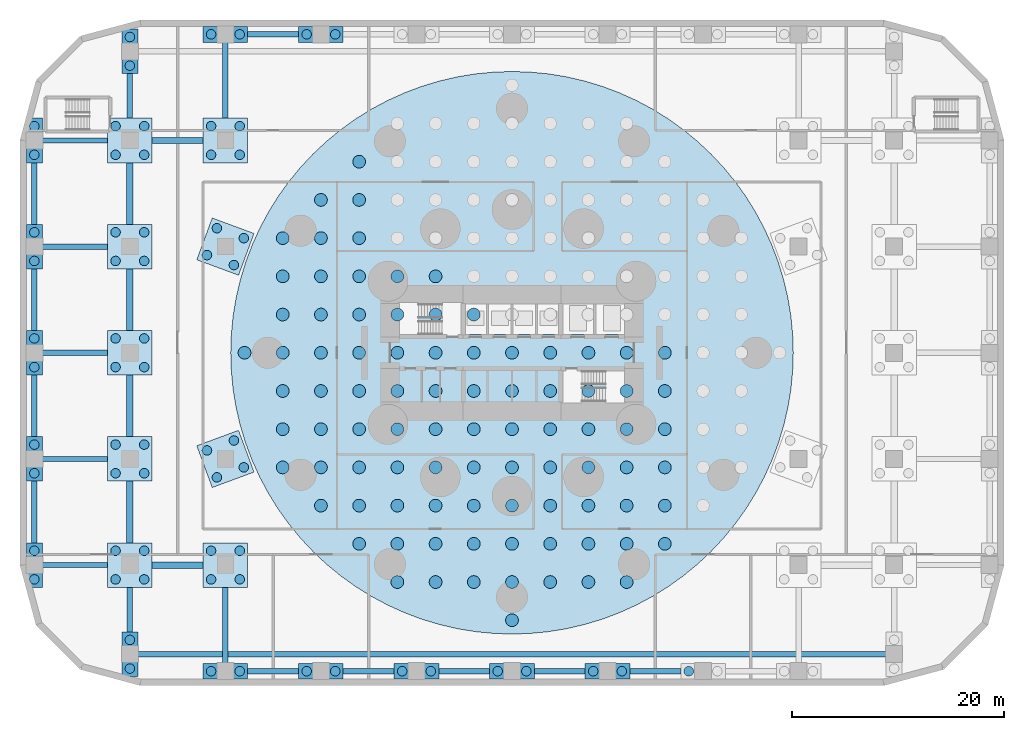
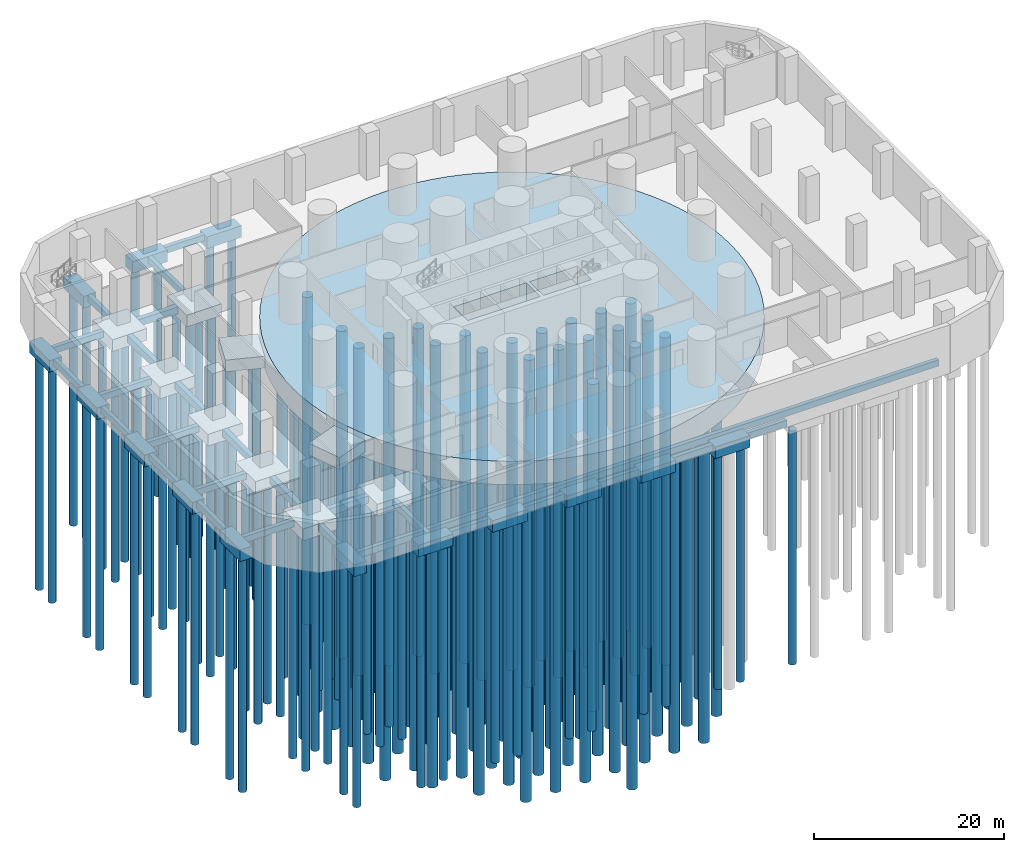
# One storey, part 1 of 10: 154 piles, 50 footings.
"""IFC4 building model written with IfcOpenShell, lengths in metres."""

from ifc_helpers import new_model, si_unit, direction, frame, origin, origin_2d, place, context, subcontext, project, spatial, polyline, rectangle, circle, outline, extrude, material, layer, layer_set, material_profile, profile_set, type_object, element, save


model = new_model("IFC4")

# Units and contexts
model_context = context("Model", 3, precision=1e-05, world=origin(), true_north=direction((0.0, 1.0)))
body_context = subcontext(model_context, "Body", "Model", "MODEL_VIEW")
ifc_project = project(units=[si_unit("LENGTHUNIT", "METRE"), si_unit("AREAUNIT", "SQUARE_METRE"), si_unit("VOLUMEUNIT", "CUBIC_METRE"), si_unit("PLANEANGLEUNIT", "RADIAN"), si_unit("MASSUNIT", "GRAM", prefix="KILO")], contexts=[model_context])

# Site, building, storey
site_placement = place(None, origin())
site = spatial("IfcSite", under=ifc_project, at=site_placement, CompositionType="ELEMENT")
building_placement = place(site_placement, origin())
building = spatial("IfcBuilding", under=site, at=building_placement, Name="Qaws Media Tower", CompositionType="ELEMENT")
storey_placement = place(building_placement, frame((0.0, 0.0, -6.0)))
storey = spatial("IfcBuildingStorey", under=building, at=storey_placement, Name="B1", CompositionType="ELEMENT", Elevation=-6.0)

# Piles
ifc_material_1 = material(Name="Concrete C40/50", Category="concrete")
ifc_material_profile_1 = material_profile(ifc_material_1, circle(Radius=0.60009765625, at=origin_2d()), Name="D1200")
ifc_profile_set_1 = profile_set([ifc_material_profile_1], Name="Concrete C40/50")
pile_type_1 = type_object("IfcPileType", Name="Bored pile D1200", PredefinedType="BORED", material=ifc_profile_set_1)
for number, where, z_axis, x_axis, name in (
    (1, (60.0, 24.800048828125, -3.0), (0.0, 0.0, -1.0), (1.0, 0.0, 0.0), "BP1 pile 1"),
    (2, (49.199951171875, 28.39990234375, -3.0), (0.0, 0.0, -1.0), (1.0, 0.0, 0.0), "BP1 pile 2"),
    (3, (52.800048828125, 28.39990234375, -3.0), (0.0, 0.0, -1.0), (1.0, 0.0, 0.0), "BP1 pile 3"),
    (4, (56.39990234375, 28.39990234375, -3.0), (0.0, 0.0, -1.0), (1.0, 0.0, 0.0), "BP1 pile 4"),
    (5, (60.0, 28.39990234375, -3.0), (0.0, 0.0, -1.0), (1.0, 0.0, 0.0), "BP1 pile 5"),
    (6, (63.60009765625, 28.39990234375, -3.0), (0.0, 0.0, -1.0), (1.0, 0.0, 0.0), "BP1 pile 6"),
    (7, (67.199951171875, 28.39990234375, -3.0), (0.0, 0.0, -1.0), (1.0, 0.0, 0.0), "BP1 pile 7"),
    (8, (70.800048828125, 28.39990234375, -3.0), (0.0, 0.0, -1.0), (1.0, 0.0, 0.0), "BP1 pile 8"),
    (9, (45.60009765625, 32.0, -3.0), (0.0, 0.0, -1.0), (1.0, 0.0, 0.0), "BP1 pile 9"),
    (10, (49.199951171875, 32.0, -3.0), (0.0, 0.0, -1.0), (1.0, 0.0, 0.0), "BP1 pile 10"),
    (11, (52.800048828125, 32.0, -3.0), (0.0, 0.0, -1.0), (1.0, 0.0, 0.0), "BP1 pile 11"),
    (12, (56.39990234375, 32.0, -3.0), (0.0, 0.0, -1.0), (1.0, 0.0, 0.0), "BP1 pile 12"),
    (13, (60.0, 32.0, -3.0), (0.0, 0.0, -1.0), (1.0, 0.0, 0.0), "BP1 pile 13"),
    (14, (63.60009765625, 32.0, -3.0), (0.0, 0.0, -1.0), (1.0, 0.0, 0.0), "BP1 pile 14"),
    (15, (67.199951171875, 32.0, -3.0), (0.0, 0.0, -1.0), (1.0, 0.0, 0.0), "BP1 pile 15"),
    (16, (70.800048828125, 32.0, -3.0), (0.0, 0.0, -1.0), (1.0, 0.0, 0.0), "BP1 pile 16"),
    (17, (74.39990234375, 32.0, -3.0), (0.0, 0.0, -1.0), (1.0, 0.0, 0.0), "BP1 pile 17"),
    (18, (42.0, 35.60009765625, -3.0), (0.0, 0.0, -1.0), (1.0, 0.0, 0.0), "BP1 pile 18"),
    (19, (45.60009765625, 35.60009765625, -3.0), (0.0, 0.0, -1.0), (1.0, 0.0, 0.0), "BP1 pile 19"),
    (20, (49.199951171875, 35.60009765625, -3.0), (0.0, 0.0, -1.0), (1.0, 0.0, 0.0), "BP1 pile 20"),
    (21, (52.800048828125, 35.60009765625, -3.0), (0.0, 0.0, -1.0), (1.0, 0.0, 0.0), "BP1 pile 21"),
    (22, (56.39990234375, 35.60009765625, -3.0), (0.0, 0.0, -1.0), (1.0, 0.0, 0.0), "BP1 pile 22"),
    (23, (60.0, 35.60009765625, -3.0), (0.0, 0.0, -1.0), (1.0, 0.0, 0.0), "BP1 pile 23"),
    (24, (63.60009765625, 35.60009765625, -3.0), (0.0, 0.0, -1.0), (1.0, 0.0, 0.0), "BP1 pile 24"),
    (25, (67.199951171875, 35.60009765625, -3.0), (0.0, 0.0, -1.0), (1.0, 0.0, 0.0), "BP1 pile 25"),
    (26, (70.800048828125, 35.60009765625, -3.0), (0.0, 0.0, -1.0), (1.0, 0.0, 0.0), "BP1 pile 26"),
    (27, (74.39990234375, 35.60009765625, -3.0), (0.0, 0.0, -1.0), (1.0, 0.0, 0.0), "BP1 pile 27"),
    (28, (38.39990234375, 39.199951171875, -3.0), (0.0, 0.0, -1.0), (1.0, 0.0, 0.0), "BP1 pile 29"),
    (29, (42.0, 39.199951171875, -3.0), (0.0, 0.0, -1.0), (1.0, 0.0, 0.0), "BP1 pile 30"),
    (30, (45.60009765625, 39.199951171875, -3.0), (0.0, 0.0, -1.0), (1.0, 0.0, 0.0), "BP1 pile 31"),
    (31, (49.199951171875, 39.199951171875, -3.0), (0.0, 0.0, -1.0), (1.0, 0.0, 0.0), "BP1 pile 32"),
    (32, (52.800048828125, 39.199951171875, -3.0), (0.0, 0.0, -1.0), (1.0, 0.0, 0.0), "BP1 pile 33"),
    (33, (56.39990234375, 39.199951171875, -3.0), (0.0, 0.0, -1.0), (1.0, 0.0, 0.0), "BP1 pile 34"),
    (34, (60.0, 39.199951171875, -3.0), (0.0, 0.0, -1.0), (1.0, 0.0, 0.0), "BP1 pile 35"),
    (35, (63.60009765625, 39.199951171875, -3.0), (0.0, 0.0, -1.0), (1.0, 0.0, 0.0), "BP1 pile 36"),
    (36, (67.199951171875, 39.199951171875, -3.0), (0.0, 0.0, -1.0), (1.0, 0.0, 0.0), "BP1 pile 37"),
    (37, (70.800048828125, 39.199951171875, -3.0), (0.0, 0.0, -1.0), (1.0, 0.0, 0.0), "BP1 pile 38"),
    (38, (74.39990234375, 39.199951171875, -3.0), (0.0, 0.0, -1.0), (1.0, 0.0, 0.0), "BP1 pile 39"),
    (39, (38.39990234375, 42.800048828125, -3.0), (0.0, 0.0, -1.0), (1.0, 0.0, 0.0), "BP1 pile 42"),
    (40, (42.0, 42.800048828125, -3.0), (0.0, 0.0, -1.0), (1.0, 0.0, 0.0), "BP1 pile 43"),
    (41, (45.60009765625, 42.800048828125, -3.0), (0.0, 0.0, -1.0), (1.0, 0.0, 0.0), "BP1 pile 44"),
    (42, (49.199951171875, 42.800048828125, -3.0), (0.0, 0.0, -1.0), (1.0, 0.0, 0.0), "BP1 pile 45"),
    (43, (52.800048828125, 42.800048828125, -3.0), (0.0, 0.0, -1.0), (1.0, 0.0, 0.0), "BP1 pile 46"),
    (44, (56.39990234375, 42.800048828125, -3.0), (0.0, 0.0, -1.0), (1.0, 0.0, 0.0), "BP1 pile 47"),
    (45, (60.0, 42.800048828125, -3.0), (0.0, 0.0, -1.0), (1.0, 0.0, 0.0), "BP1 pile 48"),
    (46, (63.60009765625, 42.800048828125, -3.0), (0.0, 0.0, -1.0), (1.0, 0.0, 0.0), "BP1 pile 49"),
    (47, (67.199951171875, 42.800048828125, -3.0), (0.0, 0.0, -1.0), (1.0, 0.0, 0.0), "BP1 pile 50"),
    (48, (70.800048828125, 42.800048828125, -3.0), (0.0, 0.0, -1.0), (1.0, 0.0, 0.0), "BP1 pile 51"),
    (49, (74.39990234375, 42.800048828125, -3.0), (0.0, 0.0, -1.0), (1.0, 0.0, 0.0), "BP1 pile 52"),
    (50, (38.39990234375, 46.39990234375, -3.0), (0.0, 0.0, -1.0), (1.0, 0.0, 0.0), "BP1 pile 55"),
    (51, (42.0, 46.39990234375, -3.0), (0.0, 0.0, -1.0), (1.0, 0.0, 0.0), "BP1 pile 56"),
    (52, (45.60009765625, 46.39990234375, -3.0), (0.0, 0.0, -1.0), (1.0, 0.0, 0.0), "BP1 pile 57"),
    (53, (49.199951171875, 46.39990234375, -3.0), (0.0, 0.0, -1.0), (1.0, 0.0, 0.0), "BP1 pile 58"),
    (54, (52.800048828125, 46.39990234375, -3.0), (0.0, 0.0, -1.0), (1.0, 0.0, 0.0), "BP1 pile 59"),
    (55, (56.39990234375, 46.39990234375, -3.0), (0.0, 0.0, -1.0), (1.0, 0.0, 0.0), "BP1 pile 60"),
    (56, (60.0, 46.39990234375, -3.0), (0.0, 0.0, -1.0), (1.0, 0.0, 0.0), "BP1 pile 61"),
    (57, (63.60009765625, 46.39990234375, -3.0), (0.0, 0.0, -1.0), (1.0, 0.0, 0.0), "BP1 pile 62"),
    (58, (67.199951171875, 46.39990234375, -3.0), (0.0, 0.0, -1.0), (1.0, 0.0, 0.0), "BP1 pile 63"),
    (59, (70.800048828125, 46.39990234375, -3.0), (0.0, 0.0, -1.0), (1.0, 0.0, 0.0), "BP1 pile 64"),
    (60, (74.39990234375, 46.39990234375, -3.0), (0.0, 0.0, -1.0), (1.0, 0.0, 0.0), "BP1 pile 65"),
    (61, (34.800048828125, 50.0, -3.0), (0.0, 0.0, -1.0), (1.0, 0.0, 0.0), "BP1 pile 68"),
    (62, (38.39990234375, 50.0, -3.0), (0.0, 0.0, -1.0), (1.0, 0.0, 0.0), "BP1 pile 69"),
    (63, (42.0, 50.0, -3.0), (0.0, 0.0, -1.0), (1.0, 0.0, 0.0), "BP1 pile 70"),
    (64, (45.60009765625, 50.0, -3.0), (0.0, 0.0, -1.0), (1.0, 0.0, 0.0), "BP1 pile 71"),
    (65, (49.199951171875, 50.0, -3.0), (0.0, 0.0, -1.0), (1.0, 0.0, 0.0), "BP1 pile 72"),
    (66, (52.800048828125, 50.0, -3.0), (0.0, 0.0, -1.0), (1.0, 0.0, 0.0), "BP1 pile 73"),
    (67, (56.39990234375, 50.0, -3.0), (0.0, 0.0, -1.0), (1.0, 0.0, 0.0), "BP1 pile 74"),
    (68, (60.0, 50.0, -3.0), (0.0, 0.0, -1.0), (1.0, 0.0, 0.0), "BP1 pile 75"),
    (69, (63.60009765625, 50.0, -3.0), (0.0, 0.0, -1.0), (1.0, 0.0, 0.0), "BP1 pile 76"),
    (70, (67.199951171875, 50.0, -3.0), (0.0, 0.0, -1.0), (1.0, 0.0, 0.0), "BP1 pile 77"),
    (71, (70.800048828125, 50.0, -3.0), (0.0, 0.0, -1.0), (1.0, 0.0, 0.0), "BP1 pile 78"),
    (72, (74.39990234375, 50.0, -3.0), (0.0, 0.0, -1.0), (1.0, 0.0, 0.0), "BP1 pile 79"),
    (73, (38.39990234375, 53.60009765625, -3.0), (0.0, 0.0, -1.0), (1.0, 0.0, 0.0), "BP1 pile 83"),
    (74, (42.0, 53.60009765625, -3.0), (0.0, 0.0, -1.0), (1.0, 0.0, 0.0), "BP1 pile 84"),
    (75, (45.60009765625, 53.60009765625, -3.0), (0.0, 0.0, -1.0), (1.0, 0.0, 0.0), "BP1 pile 85"),
    (76, (49.199951171875, 53.60009765625, -3.0), (0.0, 0.0, -1.0), (1.0, 0.0, 0.0), "BP1 pile 86"),
    (77, (52.800048828125, 53.60009765625, -3.0), (0.0, 0.0, -1.0), (1.0, 0.0, 0.0), "BP1 pile 87"),
    (78, (56.39990234375, 53.60009765625, -3.0), (0.0, 0.0, -1.0), (1.0, 0.0, 0.0), "BP1 pile 88"),
    (79, (38.39990234375, 57.199951171875, -3.0), (0.0, 0.0, -1.0), (1.0, 0.0, 0.0), "BP1 pile 96"),
    (80, (42.0, 57.199951171875, -3.0), (0.0, 0.0, -1.0), (1.0, 0.0, 0.0), "BP1 pile 97"),
    (81, (45.60009765625, 57.199951171875, -3.0), (0.0, 0.0, -1.0), (1.0, 0.0, 0.0), "BP1 pile 98"),
    (82, (49.199951171875, 57.199951171875, -3.0), (0.0, 0.0, -1.0), (1.0, 0.0, 0.0), "BP1 pile 99"),
    (83, (52.800048828125, 57.199951171875, -3.0), (0.0, 0.0, -1.0), (1.0, 0.0, 0.0), "BP1 pile 100"),
    (84, (38.39990234375, 60.800048828125, -3.0), (0.0, 0.0, -1.0), (1.0, 0.0, 0.0), "BP1 pile 109"),
    (85, (42.0, 60.800048828125, -3.0), (0.0, 0.0, -1.0), (1.0, 0.0, 0.0), "BP1 pile 110"),
    (86, (45.60009765625, 60.800048828125, -3.0), (0.0, 0.0, -1.0), (1.0, 0.0, 0.0), "BP1 pile 111"),
    (87, (42.0, 64.39990234375, -3.0), (0.0, 0.0, -1.0), (1.0, 0.0, 0.0), "BP1 pile 122"),
    (88, (45.60009765625, 64.39990234375, -3.0), (0.0, 0.0, -1.0), (1.0, 0.0, 0.0), "BP1 pile 123"),
    (89, (45.60009765625, 68.0, -3.0), (0.0, 0.0, -1.0), (1.0, 0.0, 0.0), "BP1 pile 133"),
):
    element("IfcPile", number, at=place(storey_placement, frame(where, z_axis=z_axis, x_axis=x_axis)), inside=storey, type_object=pile_type_1, Name=name, PredefinedType="BORED", context=body_context, shape_type="SweptSolid", body=[
        extrude(circle(Radius=0.60009765625, at=origin_2d()), origin(), (0.0, 0.0, 1.0), 42.0),
    ])
ifc_material_2 = material(Name="Concrete C40/50", Category="concrete")
ifc_material_profile_2 = material_profile(ifc_material_2, circle(Radius=0.449951171875, at=origin_2d()), Name="D900")
ifc_profile_set_2 = profile_set([ifc_material_profile_2], Name="Concrete C40/50")
pile_type_2 = type_object("IfcPileType", Name="Bored pile D900", PredefinedType="BORED", material=ifc_profile_set_2)
for number, where, z_axis, x_axis, name in (
    (90, (15.0, 28.64990234375, -2.0), (0.0, 0.0, -1.0), (1.0, 0.0, 0.0), "BP2 pile 1/B-1"),
    (91, (15.0, 31.35009765625, -2.0), (0.0, 0.0, -1.0), (1.0, 0.0, 0.0), "BP2 pile 1/B-2"),
    (92, (15.0, 38.64990234375, -2.0), (0.0, 0.0, -1.0), (1.0, 0.0, 0.0), "BP2 pile 1/C-1"),
    (93, (15.0, 41.35009765625, -2.0), (0.0, 0.0, -1.0), (1.0, 0.0, 0.0), "BP2 pile 1/C-2"),
    (94, (15.0, 48.64990234375, -2.0), (0.0, 0.0, -1.0), (1.0, 0.0, 0.0), "BP2 pile 1/D-1"),
    (95, (15.0, 51.35009765625, -2.0), (0.0, 0.0, -1.0), (1.0, 0.0, 0.0), "BP2 pile 1/D-2"),
    (96, (15.0, 58.64990234375, -2.0), (0.0, 0.0, -1.0), (1.0, 0.0, 0.0), "BP2 pile 1/E-1"),
    (97, (15.0, 61.35009765625, -2.0), (0.0, 0.0, -1.0), (1.0, 0.0, 0.0), "BP2 pile 1/E-2"),
    (98, (15.0, 68.64990234375, -2.0), (0.0, 0.0, -1.0), (1.0, 0.0, 0.0), "BP2 pile 1/F-1"),
    (99, (15.0, 71.35009765625, -2.0), (0.0, 0.0, -1.0), (1.0, 0.0, 0.0), "BP2 pile 1/F-2"),
    (100, (22.64990234375, 28.64990234375, -2.0), (0.0, 0.0, -1.0), (1.0, 0.0, 0.0), "BP2 pile 2/B-1"),
    (101, (25.35009765625, 28.64990234375, -2.0), (0.0, 0.0, -1.0), (1.0, 0.0, 0.0), "BP2 pile 2/B-2"),
    (102, (22.64990234375, 31.35009765625, -2.0), (0.0, 0.0, -1.0), (1.0, 0.0, 0.0), "BP2 pile 2/B-3"),
    (103, (25.35009765625, 31.35009765625, -2.0), (0.0, 0.0, -1.0), (1.0, 0.0, 0.0), "BP2 pile 2/B-4"),
    (104, (22.64990234375, 38.64990234375, -2.0), (0.0, 0.0, -1.0), (1.0, 0.0, 0.0), "BP2 pile 2/C-1"),
    (105, (25.35009765625, 38.64990234375, -2.0), (0.0, 0.0, -1.0), (1.0, 0.0, 0.0), "BP2 pile 2/C-2"),
    (106, (22.64990234375, 41.35009765625, -2.0), (0.0, 0.0, -1.0), (1.0, 0.0, 0.0), "BP2 pile 2/C-3"),
    (107, (25.35009765625, 41.35009765625, -2.0), (0.0, 0.0, -1.0), (1.0, 0.0, 0.0), "BP2 pile 2/C-4"),
    (108, (22.64990234375, 48.64990234375, -2.0), (0.0, 0.0, -1.0), (1.0, 0.0, 0.0), "BP2 pile 2/D-1"),
    (109, (25.35009765625, 48.64990234375, -2.0), (0.0, 0.0, -1.0), (1.0, 0.0, 0.0), "BP2 pile 2/D-2"),
    (110, (22.64990234375, 51.35009765625, -2.0), (0.0, 0.0, -1.0), (1.0, 0.0, 0.0), "BP2 pile 2/D-3"),
    (111, (25.35009765625, 51.35009765625, -2.0), (0.0, 0.0, -1.0), (1.0, 0.0, 0.0), "BP2 pile 2/D-4"),
    (112, (22.64990234375, 58.64990234375, -2.0), (0.0, 0.0, -1.0), (1.0, 0.0, 0.0), "BP2 pile 2/E-1"),
    (113, (25.35009765625, 58.64990234375, -2.0), (0.0, 0.0, -1.0), (1.0, 0.0, 0.0), "BP2 pile 2/E-2"),
    (114, (22.64990234375, 61.35009765625, -2.0), (0.0, 0.0, -1.0), (1.0, 0.0, 0.0), "BP2 pile 2/E-3"),
    (115, (25.35009765625, 61.35009765625, -2.0), (0.0, 0.0, -1.0), (1.0, 0.0, 0.0), "BP2 pile 2/E-4"),
    (116, (22.64990234375, 68.64990234375, -2.0), (0.0, 0.0, -1.0), (1.0, 0.0, 0.0), "BP2 pile 2/F-1"),
    (117, (25.35009765625, 68.64990234375, -2.0), (0.0, 0.0, -1.0), (1.0, 0.0, 0.0), "BP2 pile 2/F-2"),
    (118, (22.64990234375, 71.35009765625, -2.0), (0.0, 0.0, -1.0), (1.0, 0.0, 0.0), "BP2 pile 2/F-3"),
    (119, (25.35009765625, 71.35009765625, -2.0), (0.0, 0.0, -1.0), (1.0, 0.0, 0.0), "BP2 pile 2/F-4"),
    (120, (31.64990234375, 20.0, -2.0), (0.0, 0.0, -1.0), (1.0, 0.0, 0.0), "BP2 pile 3/A-1"),
    (121, (34.35009765625, 20.0, -2.0), (0.0, 0.0, -1.0), (1.0, 0.0, 0.0), "BP2 pile 3/A-2"),
    (122, (31.64990234375, 28.64990234375, -2.0), (0.0, 0.0, -1.0), (1.0, 0.0, 0.0), "BP2 pile 3/B-1"),
    (123, (34.35009765625, 28.64990234375, -2.0), (0.0, 0.0, -1.0), (1.0, 0.0, 0.0), "BP2 pile 3/B-2"),
    (124, (31.64990234375, 31.35009765625, -2.0), (0.0, 0.0, -1.0), (1.0, 0.0, 0.0), "BP2 pile 3/B-3"),
    (125, (34.35009765625, 31.35009765625, -2.0), (0.0, 0.0, -1.0), (1.0, 0.0, 0.0), "BP2 pile 3/B-4"),
    (126, (32.2021484375, 38.265380859375, -2.0), (0.0, 0.0, -1.0), (1.0, 0.0, 0.0), "BP2 pile 3/C-1"),
    (127, (34.734619140625, 39.2021484375, -2.0), (0.0, 0.0, -1.0), (1.0, 0.0, 0.0), "BP2 pile 3/C-2"),
    (128, (31.265380859375, 40.7978515625, -2.0), (0.0, 0.0, -1.0), (1.0, 0.0, 0.0), "BP2 pile 3/C-3"),
    (129, (33.7978515625, 41.734619140625, -2.0), (0.0, 0.0, -1.0), (1.0, 0.0, 0.0), "BP2 pile 3/C-4"),
    (130, (31.265380859375, 59.2021484375, -2.0), (0.0, 0.0, -1.0), (1.0, 0.0, 0.0), "BP2 pile 3/E-1"),
    (131, (33.7978515625, 58.265380859375, -2.0), (0.0, 0.0, -1.0), (1.0, 0.0, 0.0), "BP2 pile 3/E-2"),
    (132, (32.2021484375, 61.734619140625, -2.0), (0.0, 0.0, -1.0), (1.0, 0.0, 0.0), "BP2 pile 3/E-3"),
    (133, (34.734619140625, 60.7978515625, -2.0), (0.0, 0.0, -1.0), (1.0, 0.0, 0.0), "BP2 pile 3/E-4"),
    (134, (31.64990234375, 68.64990234375, -2.0), (0.0, 0.0, -1.0), (1.0, 0.0, 0.0), "BP2 pile 3/F-1"),
    (135, (34.35009765625, 68.64990234375, -2.0), (0.0, 0.0, -1.0), (1.0, 0.0, 0.0), "BP2 pile 3/F-2"),
    (136, (31.64990234375, 71.35009765625, -2.0), (0.0, 0.0, -1.0), (1.0, 0.0, 0.0), "BP2 pile 3/F-3"),
    (137, (34.35009765625, 71.35009765625, -2.0), (0.0, 0.0, -1.0), (1.0, 0.0, 0.0), "BP2 pile 3/F-4"),
    (138, (31.64990234375, 80.0, -2.0), (0.0, 0.0, -1.0), (1.0, 0.0, 0.0), "BP2 pile 3/G-1"),
    (139, (34.35009765625, 80.0, -2.0), (0.0, 0.0, -1.0), (1.0, 0.0, 0.0), "BP2 pile 3/G-2"),
    (140, (40.64990234375, 20.0, -2.0), (0.0, 0.0, -1.0), (1.0, 0.0, 0.0), "BP2 pile 4/A-1"),
    (141, (43.35009765625, 20.0, -2.0), (0.0, 0.0, -1.0), (1.0, 0.0, 0.0), "BP2 pile 4/A-2"),
    (142, (40.64990234375, 80.0, -2.0), (0.0, 0.0, -1.0), (1.0, 0.0, 0.0), "BP2 pile 4/G-1"),
    (143, (43.35009765625, 80.0, -2.0), (0.0, 0.0, -1.0), (1.0, 0.0, 0.0), "BP2 pile 4/G-2"),
    (144, (49.64990234375, 20.0, -2.0), (0.0, 0.0, -1.0), (1.0, 0.0, 0.0), "BP2 pile 5/A-1"),
    (145, (52.35009765625, 20.0, -2.0), (0.0, 0.0, -1.0), (1.0, 0.0, 0.0), "BP2 pile 5/A-2"),
    (146, (58.64990234375, 20.0, -2.0), (0.0, 0.0, -1.0), (1.0, 0.0, 0.0), "BP2 pile 6/A-1"),
    (147, (61.35009765625, 20.0, -2.0), (0.0, 0.0, -1.0), (1.0, 0.0, 0.0), "BP2 pile 6/A-2"),
    (148, (67.64990234375, 20.0, -2.0), (0.0, 0.0, -1.0), (1.0, 0.0, 0.0), "BP2 pile 7/A-1"),
    (149, (70.35009765625, 20.0, -2.0), (0.0, 0.0, -1.0), (1.0, 0.0, 0.0), "BP2 pile 7/A-2"),
    (150, (76.64990234375, 20.0, -2.0), (0.0, 0.0, -1.0), (1.0, 0.0, 0.0), "BP2 pile 8/A-1"),
    (151, (24.0, 20.25, -2.0), (0.0, 0.0, -1.0), (1.0, 0.0, 0.0), "BP2 pile 2/A-1"),
    (152, (24.0, 22.949951171875, -2.0), (0.0, 0.0, -1.0), (1.0, 0.0, 0.0), "BP2 pile 2/A-2"),
    (153, (24.0, 77.050048828125, -2.0), (0.0, 0.0, -1.0), (1.0, 0.0, 0.0), "BP2 pile 2/G-1"),
    (154, (24.0, 79.75, -2.0), (0.0, 0.0, -1.0), (1.0, 0.0, 0.0), "BP2 pile 2/G-2"),
):
    element("IfcPile", number, at=place(storey_placement, frame(where, z_axis=z_axis, x_axis=x_axis)), inside=storey, type_object=pile_type_2, Name=name, PredefinedType="BORED", context=body_context, shape_type="SweptSolid", body=[
        extrude(circle(Radius=0.449951171875, at=origin_2d()), origin(), (0.0, 0.0, 1.0), 30.0),
    ])

# Footings
ifc_material_3 = material(Name="Concrete C40/50", Category="concrete")
ifc_layer_1 = layer(ifc_material_3, 0.800048828125)
ifc_layer_set_1 = layer_set([ifc_layer_1], Name="Foundation tie beam 500x800")
footing_type_1 = type_object("IfcFootingType", Name="Foundation tie beam 500x800", PredefinedType="FOOTING_BEAM", material=ifc_layer_set_1)
for number, where, z_axis, x_axis, name in (
    (155, (37.5, 20.0, -1.2998046875), (0.0, 0.0, 1.0), (1.0, 0.0, 0.0), "FT2 foundation tie 3/A-4/A"),
    (156, (46.5, 20.0, -1.2998046875), (0.0, 0.0, 1.0), (1.0, 0.0, 0.0), "FT2 foundation tie 4/A-5/A"),
    (157, (55.5, 20.0, -1.2998046875), (0.0, 0.0, 1.0), (1.0, 0.0, 0.0), "FT2 foundation tie 5/A-6/A"),
    (158, (64.5, 20.0, -1.2998046875), (0.0, 0.0, 1.0), (1.0, 0.0, 0.0), "FT2 foundation tie 6/A-7/A"),
    (159, (73.5, 20.0, -1.2998046875), (0.0, 0.0, 1.0), (1.0, 0.0, 0.0), "FT2 foundation tie 7/A-8/A"),
):
    element("IfcFooting", number, at=place(storey_placement, frame(where, z_axis=z_axis, x_axis=x_axis)), inside=storey, type_object=footing_type_1, Name=name, PredefinedType="FOOTING_BEAM", context=body_context, shape_type="SweptSolid", body=[
        extrude(rectangle(XDim=4.800048828125, YDim=0.5, at=origin_2d()), origin(), (0.0, 0.0, 1.0), 0.800048828125),
    ])
footing_1_placement = place(storey_placement, frame((60.0, 21.60009765625, -1.2998046875), z_axis=(0.0, 0.0, 1.0), x_axis=(1.0, 0.0, 0.0)))
element("IfcFooting", 160, at=footing_1_placement, inside=storey, type_object=footing_type_1, Name="FT2 foundation tie 2/A-10/A", PredefinedType="FOOTING_BEAM", context=body_context, shape_type="SweptSolid", body=[
    extrude(rectangle(XDim=70.5, YDim=0.5, at=origin_2d()), origin(), (0.0, 0.0, 1.0), 0.800048828125),
])
for number, where, z_axis, x_axis, name in (
    (161, (18.824951171875, 30.0, -1.2998046875), (0.0, 0.0, 1.0), (1.0, 0.0, 0.0), "FT2 foundation tie 1/B-2/B"),
    (162, (18.824951171875, 40.0, -1.2998046875), (0.0, 0.0, 1.0), (1.0, 0.0, 0.0), "FT2 foundation tie 1/C-2/C"),
    (163, (18.824951171875, 50.0, -1.2998046875), (0.0, 0.0, 1.0), (1.0, 0.0, 0.0), "FT2 foundation tie 1/D-2/D"),
    (164, (18.824951171875, 60.0, -1.2998046875), (0.0, 0.0, 1.0), (1.0, 0.0, 0.0), "FT2 foundation tie 1/E-2/E"),
    (165, (18.824951171875, 70.0, -1.2998046875), (0.0, 0.0, 1.0), (1.0, 0.0, 0.0), "FT2 foundation tie 1/F-2/F"),
):
    element("IfcFooting", number, at=place(storey_placement, frame(where, z_axis=z_axis, x_axis=x_axis)), inside=storey, type_object=footing_type_1, Name=name, PredefinedType="FOOTING_BEAM", context=body_context, shape_type="SweptSolid", body=[
        extrude(rectangle(XDim=6.14990234375, YDim=0.5, at=origin_2d()), origin(), (0.0, 0.0, 1.0), 0.800048828125),
    ])
footing_2_placement = place(storey_placement, frame((37.5, 80.0, -1.2998046875), z_axis=(0.0, 0.0, 1.0), x_axis=(1.0, 0.0, 0.0)))
element("IfcFooting", 166, at=footing_2_placement, inside=storey, type_object=footing_type_1, Name="FT2 foundation tie 3/G-4/G", PredefinedType="FOOTING_BEAM", context=body_context, shape_type="SweptSolid", body=[
    extrude(rectangle(XDim=4.800048828125, YDim=0.5, at=origin_2d()), origin(), (0.0, 0.0, 1.0), 0.800048828125),
])
for number, where, z_axis, x_axis, name in (
    (167, (15.0, 35.0, -1.2998046875), (0.0, 0.0, 1.0), (1.0, 0.0, 0.0), "FT2 foundation tie 1/B-1/C"),
    (168, (15.0, 45.0, -1.2998046875), (0.0, 0.0, 1.0), (1.0, 0.0, 0.0), "FT2 foundation tie 1/C-1/D"),
    (169, (15.0, 55.0, -1.2998046875), (0.0, 0.0, 1.0), (1.0, 0.0, 0.0), "FT2 foundation tie 1/D-1/E"),
    (170, (15.0, 65.0, -1.2998046875), (0.0, 0.0, 1.0), (1.0, 0.0, 0.0), "FT2 foundation tie 1/E-1/F"),
):
    element("IfcFooting", number, at=place(storey_placement, frame(where, z_axis=z_axis, x_axis=x_axis)), inside=storey, type_object=footing_type_1, Name=name, PredefinedType="FOOTING_BEAM", context=body_context, shape_type="SweptSolid", body=[
        extrude(rectangle(XDim=0.5, YDim=5.800048828125, at=origin_2d()), origin(), (0.0, 0.0, 1.0), 0.800048828125),
    ])
for number, where, z_axis, x_axis, name in (
    (171, (24.0, 25.800048828125, -1.2998046875), (0.0, 0.0, 1.0), (1.0, 0.0, 0.0), "FT2 foundation tie 2/A-2/B"),
    (172, (24.0, 74.199951171875, -1.2998046875), (0.0, 0.0, 1.0), (1.0, 0.0, 0.0), "FT2 foundation tie 2/F-2/G"),
):
    element("IfcFooting", number, at=place(storey_placement, frame(where, z_axis=z_axis, x_axis=x_axis)), inside=storey, type_object=footing_type_1, Name=name, PredefinedType="FOOTING_BEAM", context=body_context, shape_type="SweptSolid", body=[
        extrude(rectangle(XDim=0.5, YDim=4.199951171875, at=origin_2d()), origin(), (0.0, 0.0, 1.0), 0.800048828125),
    ])
for number, where, z_axis, x_axis, name in (
    (173, (33.0, 24.324951171875, -1.2998046875), (0.0, 0.0, 1.0), (1.0, 0.0, 0.0), "FT2 foundation tie 3/A-3/B"),
    (174, (33.0, 75.675048828125, -1.2998046875), (0.0, 0.0, 1.0), (1.0, 0.0, 0.0), "FT2 foundation tie 3/F-3/G"),
):
    element("IfcFooting", number, at=place(storey_placement, frame(where, z_axis=z_axis, x_axis=x_axis)), inside=storey, type_object=footing_type_1, Name=name, PredefinedType="FOOTING_BEAM", context=body_context, shape_type="SweptSolid", body=[
        extrude(rectangle(XDim=0.5, YDim=7.14990234375, at=origin_2d()), origin(), (0.0, 0.0, 1.0), 0.800048828125),
    ])
ifc_material_4 = material(Name="Concrete C40/50", Category="concrete")
ifc_layer_2 = layer(ifc_material_4, 0.89990234375)
ifc_layer_set_2 = layer_set([ifc_layer_2], Name="Foundation tie beam 600x900")
footing_type_2 = type_object("IfcFootingType", Name="Foundation tie beam 600x900", PredefinedType="FOOTING_BEAM", material=ifc_layer_set_2)
for number, where, z_axis, x_axis, name in (
    (175, (28.5, 30.0, -1.39990234375), (0.0, 0.0, 1.0), (1.0, 0.0, 0.0), "FT1 foundation tie 2/B-3/B"),
    (176, (28.5, 70.0, -1.39990234375), (0.0, 0.0, 1.0), (1.0, 0.0, 0.0), "FT1 foundation tie 2/F-3/F"),
):
    element("IfcFooting", number, at=place(storey_placement, frame(where, z_axis=z_axis, x_axis=x_axis)), inside=storey, type_object=footing_type_2, Name=name, PredefinedType="FOOTING_BEAM", context=body_context, shape_type="SweptSolid", body=[
        extrude(rectangle(XDim=4.800048828125, YDim=0.60009765625, at=origin_2d()), origin(), (0.0, 0.0, 1.0), 0.89990234375),
    ])
for number, where, z_axis, x_axis, name in (
    (177, (24.0, 35.0, -1.39990234375), (0.0, 0.0, 1.0), (1.0, 0.0, 0.0), "FT1 foundation tie 2/B-2/C"),
    (178, (24.0, 45.0, -1.39990234375), (0.0, 0.0, 1.0), (1.0, 0.0, 0.0), "FT1 foundation tie 2/C-2/D"),
    (179, (24.0, 55.0, -1.39990234375), (0.0, 0.0, 1.0), (1.0, 0.0, 0.0), "FT1 foundation tie 2/D-2/E"),
    (180, (24.0, 65.0, -1.39990234375), (0.0, 0.0, 1.0), (1.0, 0.0, 0.0), "FT1 foundation tie 2/E-2/F"),
):
    element("IfcFooting", number, at=place(storey_placement, frame(where, z_axis=z_axis, x_axis=x_axis)), inside=storey, type_object=footing_type_2, Name=name, PredefinedType="FOOTING_BEAM", context=body_context, shape_type="SweptSolid", body=[
        extrude(rectangle(XDim=0.60009765625, YDim=5.800048828125, at=origin_2d()), origin(), (0.0, 0.0, 1.0), 0.89990234375),
    ])
ifc_material_5 = material(Name="Concrete C40/50", Category="concrete")
ifc_layer_3 = layer(ifc_material_5, 1.5)
ifc_layer_set_3 = layer_set([ifc_layer_3], Name="Pile cap 2-pile 1500")
footing_type_3 = type_object("IfcFootingType", Name="Pile cap 2-pile 1500", PredefinedType="PILE_CAP", material=ifc_layer_set_3)
for number, where, z_axis, x_axis, name in (
    (181, (15.0, 30.0, -2.0), (0.0, 0.0, 1.0), (1.0, 0.0, 0.0), "F2 pile cap 1/B"),
    (182, (15.0, 40.0, -2.0), (0.0, 0.0, 1.0), (1.0, 0.0, 0.0), "F2 pile cap 1/C"),
    (183, (15.0, 50.0, -2.0), (0.0, 0.0, 1.0), (1.0, 0.0, 0.0), "F2 pile cap 1/D"),
    (184, (15.0, 60.0, -2.0), (0.0, 0.0, 1.0), (1.0, 0.0, 0.0), "F2 pile cap 1/E"),
    (185, (15.0, 70.0, -2.0), (0.0, 0.0, 1.0), (1.0, 0.0, 0.0), "F2 pile cap 1/F"),
):
    element("IfcFooting", number, at=place(storey_placement, frame(where, z_axis=z_axis, x_axis=x_axis)), inside=storey, type_object=footing_type_3, Name=name, PredefinedType="PILE_CAP", context=body_context, shape_type="SweptSolid", body=[
        extrude(rectangle(XDim=1.5, YDim=4.199951171875, at=origin_2d()), origin(), (0.0, 0.0, 1.0), 1.5),
    ])
for number, where, z_axis, x_axis, name in (
    (186, (33.0, 20.0, -2.0), (0.0, 0.0, 1.0), (1.0, 0.0, 0.0), "F2 pile cap 3/A"),
    (187, (33.0, 80.0, -2.0), (0.0, 0.0, 1.0), (1.0, 0.0, 0.0), "F2 pile cap 3/G"),
    (188, (42.0, 20.0, -2.0), (0.0, 0.0, 1.0), (1.0, 0.0, 0.0), "F2 pile cap 4/A"),
    (189, (42.0, 80.0, -2.0), (0.0, 0.0, 1.0), (1.0, 0.0, 0.0), "F2 pile cap 4/G"),
    (190, (51.0, 20.0, -2.0), (0.0, 0.0, 1.0), (1.0, 0.0, 0.0), "F2 pile cap 5/A"),
    (191, (60.0, 20.0, -2.0), (0.0, 0.0, 1.0), (1.0, 0.0, 0.0), "F2 pile cap 6/A"),
    (192, (69.0, 20.0, -2.0), (0.0, 0.0, 1.0), (1.0, 0.0, 0.0), "F2 pile cap 7/A"),
):
    element("IfcFooting", number, at=place(storey_placement, frame(where, z_axis=z_axis, x_axis=x_axis)), inside=storey, type_object=footing_type_3, Name=name, PredefinedType="PILE_CAP", context=body_context, shape_type="SweptSolid", body=[
        extrude(rectangle(XDim=4.199951171875, YDim=1.5, at=origin_2d()), origin(), (0.0, 0.0, 1.0), 1.5),
    ])
for number, where, z_axis, x_axis, name in (
    (193, (24.0, 21.60009765625, -2.0), (0.0, 0.0, 1.0), (1.0, 0.0, 0.0), "F2 pile cap 2/A"),
    (194, (24.0, 78.39990234375, -2.0), (0.0, 0.0, 1.0), (1.0, 0.0, 0.0), "F2 pile cap 2/G"),
):
    element("IfcFooting", number, at=place(storey_placement, frame(where, z_axis=z_axis, x_axis=x_axis)), inside=storey, type_object=footing_type_3, Name=name, PredefinedType="PILE_CAP", context=body_context, shape_type="SweptSolid", body=[
        extrude(rectangle(XDim=1.5, YDim=4.199951171875, at=origin_2d()), origin(), (0.0, 0.0, 1.0), 1.5),
    ])
ifc_material_6 = material(Name="Concrete C40/50", Category="concrete")
ifc_layer_4 = layer(ifc_material_6, 1.5)
ifc_layer_set_4 = layer_set([ifc_layer_4], Name="Pile cap 4-pile 1500")
footing_type_4 = type_object("IfcFootingType", Name="Pile cap 4-pile 1500", PredefinedType="PILE_CAP", material=ifc_layer_set_4)
for number, where, z_axis, x_axis, name in (
    (195, (24.0, 30.0, -2.0), (0.0, 0.0, 1.0), (1.0, 0.0, 0.0), "F4 pile cap 2/B"),
    (196, (24.0, 40.0, -2.0), (0.0, 0.0, 1.0), (1.0, 0.0, 0.0), "F4 pile cap 2/C"),
    (197, (24.0, 50.0, -2.0), (0.0, 0.0, 1.0), (1.0, 0.0, 0.0), "F4 pile cap 2/D"),
    (198, (24.0, 60.0, -2.0), (0.0, 0.0, 1.0), (1.0, 0.0, 0.0), "F4 pile cap 2/E"),
    (199, (24.0, 70.0, -2.0), (0.0, 0.0, 1.0), (1.0, 0.0, 0.0), "F4 pile cap 2/F"),
    (200, (33.0, 30.0, -2.0), (0.0, 0.0, 1.0), (1.0, 0.0, 0.0), "F4 pile cap 3/B"),
    (201, (33.0, 40.0, -2.0), (0.0, 0.0, 1.0), (0.937888934612, 0.346935651573, 0.0), "F4 pile cap 3/C"),
    (202, (33.0, 60.0, -2.0), (0.0, 0.0, 1.0), (0.937888934612, -0.346935651573, 0.0), "F4 pile cap 3/E"),
    (203, (33.0, 70.0, -2.0), (0.0, 0.0, 1.0), (1.0, 0.0, 0.0), "F4 pile cap 3/F"),
):
    element("IfcFooting", number, at=place(storey_placement, frame(where, z_axis=z_axis, x_axis=x_axis)), inside=storey, type_object=footing_type_4, Name=name, PredefinedType="PILE_CAP", context=body_context, shape_type="SweptSolid", body=[
        extrude(rectangle(XDim=4.199951171875, YDim=4.199951171875, at=origin_2d()), origin(), (0.0, 0.0, 1.0), 1.5),
    ])
ifc_material_7 = material(Name="Concrete C40/50", Category="concrete")
ifc_layer_5 = layer(ifc_material_7, 3.0)
ifc_layer_set_5 = layer_set([ifc_layer_5], Name="Piled raft 3000")
footing_type_5 = type_object("IfcFootingType", Name="Piled raft 3000", PredefinedType="PILE_CAP", material=ifc_layer_set_5)
footing_3_placement = place(storey_placement, frame((0.0, 0.0, -3.0)))
element("IfcFooting", 204, at=footing_3_placement, inside=storey, type_object=footing_type_5, Name="R1 piled raft", PredefinedType="PILE_CAP", context=body_context, shape_type="SweptSolid", body=[
    extrude(outline(polyline([(86.5, 50.0), (86.443359375, 51.733154296875), (86.273193359375, 53.458984375), (85.99072265625, 55.169921875), (85.596923828125, 56.858642578125), (85.09375, 58.51806640625), (84.48291015625, 60.14111328125), (83.76708984375, 61.720703125), (82.94970703125, 63.25), (82.033935546875, 64.72265625), (81.02392578125, 66.132080078125), (79.923828125, 67.47265625), (78.73828125, 68.73828125), (77.47265625, 69.923828125), (76.132080078125, 71.02392578125), (74.72265625, 72.033935546875), (73.25, 72.94970703125), (71.720703125, 73.76708984375), (70.14111328125, 74.48291015625), (68.51806640625, 75.09375), (66.858642578125, 75.596923828125), (65.169921875, 75.99072265625), (63.458984375, 76.273193359375), (61.733154296875, 76.443359375), (60.0, 76.5), (58.266845703125, 76.443359375), (56.541015625, 76.273193359375), (54.830078125, 75.99072265625), (53.141357421875, 75.596923828125), (51.48193359375, 75.09375), (49.85888671875, 74.48291015625), (48.279296875, 73.76708984375), (46.75, 72.94970703125), (45.27734375, 72.033935546875), (43.867919921875, 71.02392578125), (42.52734375, 69.923828125), (41.26171875, 68.73828125), (40.076171875, 67.47265625), (38.97607421875, 66.132080078125), (37.966064453125, 64.72265625), (37.05029296875, 63.25), (36.23291015625, 61.720703125), (35.51708984375, 60.14111328125), (34.90625, 58.51806640625), (34.403076171875, 56.858642578125), (34.00927734375, 55.169921875), (33.726806640625, 53.458984375), (33.556640625, 51.733154296875), (33.5, 50.0), (33.556640625, 48.266845703125), (33.726806640625, 46.541015625), (34.00927734375, 44.830078125), (34.403076171875, 43.141357421875), (34.90625, 41.48193359375), (35.51708984375, 39.85888671875), (36.23291015625, 38.279296875), (37.05029296875, 36.75), (37.966064453125, 35.27734375), (38.97607421875, 33.867919921875), (40.076171875, 32.52734375), (41.26171875, 31.26171875), (42.52734375, 30.076171875), (43.867919921875, 28.97607421875), (45.27734375, 27.966064453125), (46.75, 27.05029296875), (48.279296875, 26.23291015625), (49.85888671875, 25.51708984375), (51.48193359375, 24.90625), (53.141357421875, 24.403076171875), (54.830078125, 24.00927734375), (56.541015625, 23.726806640625), (58.266845703125, 23.556640625), (60.0, 23.5), (61.733154296875, 23.556640625), (63.458984375, 23.726806640625), (65.169921875, 24.00927734375), (66.858642578125, 24.403076171875), (68.51806640625, 24.90625), (70.14111328125, 25.51708984375), (71.720703125, 26.23291015625), (73.25, 27.05029296875), (74.72265625, 27.966064453125), (76.132080078125, 28.97607421875), (77.47265625, 30.076171875), (78.73828125, 31.26171875), (79.923828125, 32.52734375), (81.02392578125, 33.867919921875), (82.033935546875, 35.27734375), (82.94970703125, 36.75), (83.76708984375, 38.279296875), (84.48291015625, 39.85888671875), (85.09375, 41.48193359375), (85.596923828125, 43.141357421875), (85.99072265625, 44.830078125), (86.273193359375, 46.541015625), (86.443359375, 48.266845703125), (86.5, 50.0)]), holes=[polyline([(70.60009765625, 54.60009765625), (70.60009765625, 51.699951171875), (64.800048828125, 51.699951171875), (64.800048828125, 54.60009765625), (70.60009765625, 54.60009765625)]), polyline([(64.39990234375, 54.60009765625), (64.39990234375, 51.699951171875), (55.60009765625, 51.699951171875), (55.60009765625, 54.60009765625), (64.39990234375, 54.60009765625)])]), origin(), (0.0, 0.0, 1.0), 3.0),
])

save(model, "model.ifc")
